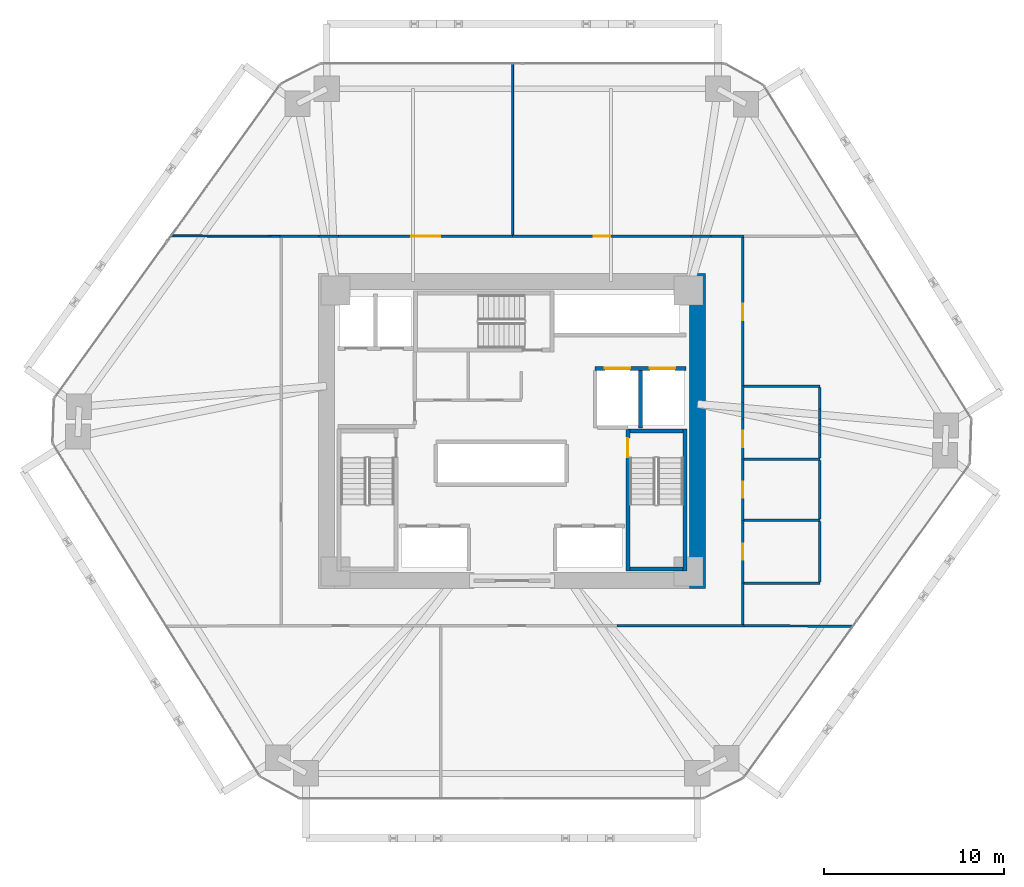
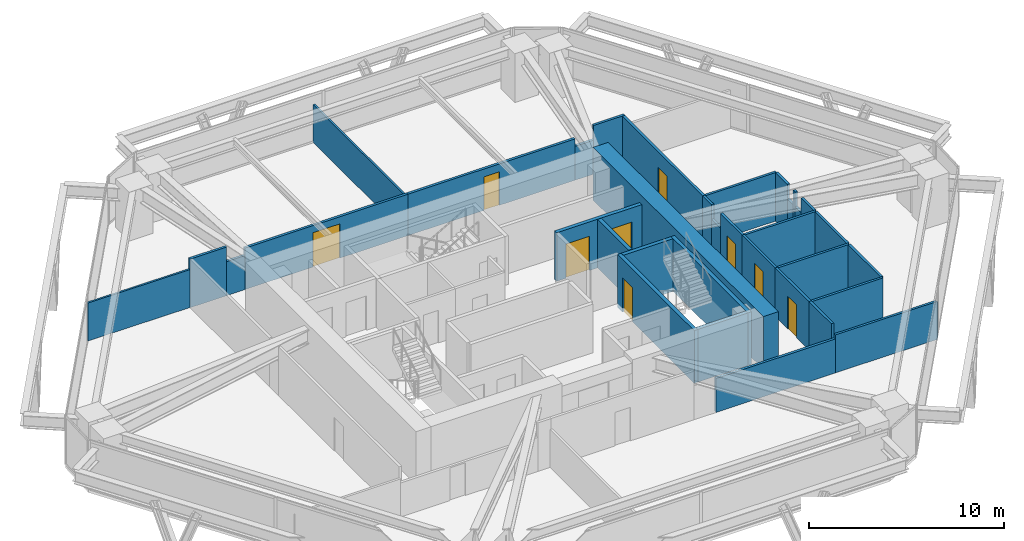
# One storey, part 12 of 14: 35 walls, 9 doors, 9 openings.
"""IFC4 building model written with IfcOpenShell, lengths in metres."""

import ifcopenshell
import ifcopenshell.guid

model = None  # the IFC model being written
_history = None  # IfcOwnerHistory: only IFC2X3 demands one
_inside = {}  # id of a spatial element -> (the spatial element, [elements in it])
_under = {}  # id of a project, library or spatial element -> (it, [spatial elements below it])
_declared = {}  # id of a project -> (the project, [libraries it declares])
_typed = {}  # id of a type object -> (the type object, [elements of that type])
_made_of = {}  # id of a material, layer set ... -> (it, [elements and type objects made of it])


def new_model(schema):
    """Start an empty IFC model of exactly this schema.

    Asked for "IFC4X3", IfcOpenShell would pick the latest addendum, in which some entities
    have other attributes; the version numbers below select the first issue.
    IFC2X3 requires an IfcOwnerHistory on every rooted entity: one is made here for all.
    """
    global model, _history
    if schema == "IFC4X3":
        model = ifcopenshell.file(schema_version=(4, 3, 0, 0))
    else:
        model = ifcopenshell.file(schema=schema)
    _inside.clear()
    _under.clear()
    _declared.clear()
    _typed.clear()
    _made_of.clear()
    _history = None
    if model.schema == "IFC2X3":
        org = make("IfcOrganization", Name="unknown")
        user = make(
            "IfcPersonAndOrganization",
            ThePerson=make("IfcPerson", FamilyName="unknown"),
            TheOrganization=org,
        )
        app = make(
            "IfcApplication",
            ApplicationDeveloper=org,
            Version="unknown",
            ApplicationFullName="unknown",
            ApplicationIdentifier="unknown",
        )
        _history = make(
            "IfcOwnerHistory",
            OwningUser=user,
            OwningApplication=app,
            ChangeAction="ADDED",
            CreationDate=0,
        )
    return model


def make(cls, **values):
    """One entity of the class cls with the attributes given. An attribute that is None is left unset."""
    return model.create_entity(
        cls, **{name: value for name, value in values.items() if value is not None}
    )


def rooted(cls, **values):
    """An entity with a GlobalId (a new one), such as an element, a storey or a relation."""
    return make(cls, GlobalId=ifcopenshell.guid.new(), OwnerHistory=_history, **values)


def si_unit(unit_type, name, prefix=None):
    """IfcSIUnit, for example si_unit("LENGTHUNIT", "METRE", prefix="MILLI")."""
    return make("IfcSIUnit", UnitType=unit_type, Prefix=prefix, Name=name)


def assignment(units):
    """IfcUnitAssignment: the units of a project."""
    return None if units is None else make("IfcUnitAssignment", Units=units)


def point(xyz):
    """IfcCartesianPoint."""
    return None if xyz is None else make("IfcCartesianPoint", Coordinates=xyz)


def direction(xyz):
    """IfcDirection."""
    return None if xyz is None else make("IfcDirection", DirectionRatios=xyz)


def frame(location, z_axis=None, x_axis=None):
    """IfcAxis2Placement3D, a coordinate frame: its origin and axes. An axis left out is left unset."""
    return make(
        "IfcAxis2Placement3D",
        Location=point(location),
        Axis=direction(z_axis),
        RefDirection=direction(x_axis),
    )


def frame_2d(location, x_axis=None):
    """IfcAxis2Placement2D, a coordinate frame in the plane: its origin and x axis."""
    return make(
        "IfcAxis2Placement2D", Location=point(location), RefDirection=direction(x_axis)
    )


def origin():
    """The frame at (0, 0, 0) with its axes left unset."""
    return frame((0.0, 0.0, 0.0))


def place(relative_to, where):
    """IfcLocalPlacement: puts the frame where relative to a parent placement (None: the world)."""
    return make(
        "IfcLocalPlacement", PlacementRelTo=relative_to, RelativePlacement=where
    )


def context(
    kind, dimensions, precision=None, world=None, true_north=None, identifier=None
):
    """IfcGeometricRepresentationContext, for example the 3D "Model" context."""
    return make(
        "IfcGeometricRepresentationContext",
        ContextIdentifier=identifier,
        ContextType=kind,
        CoordinateSpaceDimension=dimensions,
        Precision=precision,
        WorldCoordinateSystem=world,
        TrueNorth=true_north,
    )


def subcontext(parent, identifier, kind, view, scale=None):
    """IfcGeometricRepresentationSubContext, for example "Body" below "Model"."""
    return make(
        "IfcGeometricRepresentationSubContext",
        ContextIdentifier=identifier,
        ContextType=kind,
        ParentContext=parent,
        TargetScale=scale,
        TargetView=view,
    )


def project(units=None, contexts=None):
    """IfcProject with its units and contexts."""
    return rooted(
        "IfcProject",
        Name="project",
        RepresentationContexts=contexts,
        UnitsInContext=assignment(units),
    )


def spatial(cls, under=None, at=None, **own):
    """A site, building, storey or space (cls), placed at a placement, below another one or the project."""
    s = rooted(cls, ObjectPlacement=at, **own)
    if under is not None:
        _under.setdefault(under.id(), (under, []))[1].append(s)
    return s


def profile(cls, at=None, kind="AREA", **sizes):
    """A parametric profile (cls). Its sizes go by their IFC names, for example OverallWidth=200.0."""
    return make(cls, ProfileType=kind, Position=at, **sizes)


def rectangle(**sizes):
    """IfcRectangleProfileDef."""
    return profile("IfcRectangleProfileDef", **sizes)


def extrude(swept, where, along, depth):
    """IfcExtrudedAreaSolid: the profile swept, set in the frame where, extruded along a direction by depth."""
    return make(
        "IfcExtrudedAreaSolid",
        SweptArea=swept,
        Position=where,
        ExtrudedDirection=direction(along),
        Depth=depth,
    )


def shape(context_of_items, identifier, shape_type, items):
    """IfcShapeRepresentation: the items that make up one representation, for example the "Body"."""
    return make(
        "IfcShapeRepresentation",
        ContextOfItems=context_of_items,
        RepresentationIdentifier=identifier,
        RepresentationType=shape_type,
        Items=items,
    )


def source(mapping_origin, context_of_items, identifier, shape_type, items):
    """IfcRepresentationMap: a shape defined once, which mapped items show again and again."""
    return make(
        "IfcRepresentationMap",
        MappingOrigin=mapping_origin,
        MappedRepresentation=shape(context_of_items, identifier, shape_type, items),
    )


def transform(
    local_origin,
    x_axis=None,
    y_axis=None,
    z_axis=None,
    scale=None,
    scale2=None,
    scale3=None,
    uniform=True,
):
    """IfcCartesianTransformationOperator3D, or its non-uniform kind. x_axis, y_axis, z_axis: its Axis1, 2, 3."""
    if uniform:
        return make(
            "IfcCartesianTransformationOperator3D",
            Axis1=direction(x_axis),
            Axis2=direction(y_axis),
            LocalOrigin=point(local_origin),
            Scale=scale,
            Axis3=direction(z_axis),
        )
    return make(
        "IfcCartesianTransformationOperator3DnonUniform",
        Axis1=direction(x_axis),
        Axis2=direction(y_axis),
        LocalOrigin=point(local_origin),
        Scale=scale,
        Axis3=direction(z_axis),
        Scale2=scale2,
        Scale3=scale3,
    )


def mapped(mapping_source, mapping_target):
    """IfcMappedItem: shows the shape of a source again, moved by a transform."""
    return make(
        "IfcMappedItem", MappingSource=mapping_source, MappingTarget=mapping_target
    )


def material(Name=None, Category=None):
    """IfcMaterial."""
    return make("IfcMaterial", Name=Name, Category=Category)


def layer(
    of_material, thickness, ventilated=None, Name=None, Category=None, Priority=None
):
    """IfcMaterialLayer: one layer of a wall or slab, of a material (None: an air gap)."""
    return make(
        "IfcMaterialLayer",
        Material=of_material,
        LayerThickness=thickness,
        IsVentilated=ventilated,
        Name=Name,
        Category=Category,
        Priority=Priority,
    )


def layer_set(layers, Name=None):
    """IfcMaterialLayerSet."""
    return make("IfcMaterialLayerSet", MaterialLayers=layers, LayerSetName=Name)


def made_of(thing, what):
    """Note that an element or type object is made of a material, layer set ...; save() writes the relation."""
    if what is not None:
        _made_of.setdefault(what.id(), (what, []))[1].append(thing)
    return thing


def type_object(cls, material=None, **own):
    """A type object (cls), such as IfcWallType, which elements share."""
    return made_of(rooted(cls, **own), material)


def type_shapes(of_type, sources):
    """Give a type object the sources (RepresentationMaps) that its elements show as mapped items."""
    of_type.RepresentationMaps = sources


def element(
    cls,
    number,
    at=None,
    inside=None,
    cuts=None,
    type_object=None,
    material=None,
    context=None,
    identifier="Body",
    shape_type=None,
    held_by="IfcProductDefinitionShape",
    body=None,
    shapes=None,
    **own,
):
    """One element of the class cls, such as IfcWall. Its Tag is "e" and its number.

    at: its placement. inside: the storey or other place that contains it. cuts: it is an
    opening in that element (IfcRelVoidsElement). A single representation is given by context,
    identifier, shape_type and body (its items); several are given by shapes. held_by: the class
    of the entity that holds the representations. save() writes the other relations.
    """
    e = rooted(cls, Tag="e%d" % number, ObjectPlacement=at, **own)
    if body is not None:
        shapes = [shape(context, identifier, shape_type, body)]
    if shapes is not None:
        e.Representation = make(held_by, Representations=shapes)
    if inside is not None:
        _inside.setdefault(inside.id(), (inside, []))[1].append(e)
    if cuts is not None:
        rooted(
            "IfcRelVoidsElement", RelatingBuildingElement=cuts, RelatedOpeningElement=e
        )
    if type_object is not None:
        _typed.setdefault(type_object.id(), (type_object, []))[1].append(e)
    return made_of(e, material)


def fill(opening, filler):
    """IfcRelFillsElement: the door or window that sits in an opening."""
    return rooted(
        "IfcRelFillsElement",
        RelatingOpeningElement=opening,
        RelatedBuildingElement=filler,
    )


def aggregate(whole, parts):
    """IfcRelAggregates: a whole, such as a stair, and the parts it consists of."""
    return rooted("IfcRelAggregates", RelatingObject=whole, RelatedObjects=parts)


def save(model, path):
    """Write the relations noted so far, then the file.

    IfcRelAggregates (storeys below a building ...), IfcRelContainedInSpatialStructure (elements
    in a storey), IfcRelDefinesByType, IfcRelAssociatesMaterial and IfcRelDeclares: one each for
    every whole, place, type object, material and project.
    """
    for whole, parts in _under.values():
        aggregate(whole, parts)
    for where, things in _inside.values():
        rooted(
            "IfcRelContainedInSpatialStructure",
            RelatedElements=things,
            RelatingStructure=where,
        )
    for kind, things in _typed.values():
        rooted("IfcRelDefinesByType", RelatedObjects=things, RelatingType=kind)
    for what, things in _made_of.values():
        rooted("IfcRelAssociatesMaterial", RelatedObjects=things, RelatingMaterial=what)
    for by, libraries in _declared.values():
        rooted("IfcRelDeclares", RelatingContext=by, RelatedDefinitions=libraries)
    model.write(path)


model = new_model("IFC4")

# Units and contexts
model_context = context("Model", 3, precision=1e-05, world=origin(), true_north=direction((0.0, 1.0)))
body_context = subcontext(model_context, "Body", "Model", "MODEL_VIEW")
ifc_project = project(units=[si_unit("LENGTHUNIT", "METRE"), si_unit("AREAUNIT", "SQUARE_METRE"), si_unit("VOLUMEUNIT", "CUBIC_METRE"), si_unit("PLANEANGLEUNIT", "RADIAN"), si_unit("MASSUNIT", "GRAM", prefix="KILO")], contexts=[model_context])

# Site, building, storey
site_placement = place(None, origin())
site = spatial("IfcSite", under=ifc_project, at=site_placement, CompositionType="ELEMENT")
building_placement = place(site_placement, origin())
building = spatial("IfcBuilding", under=site, at=building_placement, Name="Durnholm Broadcast Tower", CompositionType="ELEMENT")
storey_placement = place(building_placement, frame((0.0, 0.0, 35.699951171875)))
storey = spatial("IfcBuildingStorey", under=building, at=storey_placement, Name="L07", CompositionType="ELEMENT", Elevation=35.699951171875)

# Walls
ifc_material_1 = material(Name="Concrete C70/85", Category="concrete")
ifc_layer_1 = layer(ifc_material_1, 0.89990234375)
ifc_layer_set_1 = layer_set([ifc_layer_1], Name="Concrete C70/85")
wall_type_1 = type_object("IfcWallType", Name="WALL-CW-900", PredefinedType="SHEAR", material=ifc_layer_set_1)
wall_1_placement = place(storey_placement, frame((10.300048828125, -8.75, 0.0), z_axis=(0.0, 0.0, 1.0), x_axis=(0.0, 1.0, 0.0)))
element("IfcWall", 1, at=wall_1_placement, inside=storey, type_object=wall_type_1, Name="L07 central core shear wall CW-EAST", PredefinedType="SHEAR", context=body_context, shape_type="SweptSolid", body=[
    extrude(rectangle(XDim=17.5, YDim=0.89990234375, at=frame_2d((8.75, 0.0))), origin(), (0.0, 0.0, 1.0), 3.300048828125),
])
ifc_material_2 = material(Name="Operable Acoustic Panel Partition", Category="aluminium")
ifc_layer_2 = layer(ifc_material_2, 0.110107421875)
ifc_layer_set_2 = layer_set([ifc_layer_2], Name="Operable Acoustic Panel Partition")
wall_type_2 = type_object("IfcWallType", Name="WALL-MOV-110", PredefinedType="MOVABLE", material=ifc_layer_set_2)
wall_2_placement = place(storey_placement, frame((0.0400390625, 20.39990234375, 0.0), z_axis=(0.0, 0.0, 1.0), x_axis=(0.0, -1.0, 0.0)))
element("IfcWall", 2, at=wall_2_placement, inside=storey, type_object=wall_type_2, Name="L07 room dividing partition 6.7", PredefinedType="MOVABLE", context=body_context, shape_type="SweptSolid", body=[
    extrude(rectangle(XDim=9.510986328125, YDim=0.110107421875, at=frame_2d((4.75537109375, 0.0))), origin(), (0.0, 0.0, 1.0), 2.380126953125),
])
wall_3_placement = place(storey_placement, frame((-12.889892578125, 10.810302734375, 0.0), z_axis=(0.0, 0.0, 1.0), x_axis=(-0.999992607823, 0.003845035728, 0.0)))
element("IfcWall", 3, at=wall_3_placement, inside=storey, type_object=wall_type_2, Name="L07 room dividing partition 6.10", PredefinedType="MOVABLE", context=body_context, shape_type="SweptSolid", body=[
    extrude(rectangle(XDim=6.031982421875, YDim=0.110107421875, at=frame_2d((3.01611328125, 0.0))), origin(), (0.0, 0.0, 1.0), 2.380126953125),
])
ifc_material_3 = material(Name="Gypsum Metal Stud Partition", Category="concrete")
ifc_layer_3 = layer(ifc_material_3, 0.135009765625)
ifc_layer_set_3 = layer_set([ifc_layer_3], Name="Gypsum Metal Stud Partition")
wall_type_3 = type_object("IfcWallType", Name="WALL-PART-135", PredefinedType="PARTITIONING", material=ifc_layer_set_3)
wall_4_placement = place(storey_placement, frame((12.889892578125, -10.810302734375, 0.0), z_axis=(0.0, 0.0, 1.0), x_axis=(0.999992607823, -0.003845035728, 0.0)))
element("IfcWall", 4, at=wall_4_placement, inside=storey, type_object=wall_type_3, Name="L07 room dividing partition 9.11", PredefinedType="PARTITIONING", context=body_context, shape_type="SweptSolid", body=[
    extrude(rectangle(XDim=6.031982421875, YDim=0.135009765625, at=frame_2d((3.01611328125, 0.0))), origin(), (0.0, 0.0, 1.0), 2.380126953125),
])

# Wall, opening, door
ifc_material_4 = material(Name="Acoustic Gypsum Stud Partition", Category="concrete")
ifc_layer_4 = layer(ifc_material_4, 0.14990234375)
ifc_layer_set_4 = layer_set([ifc_layer_4], Name="Acoustic Gypsum Stud Partition")
wall_type_4 = type_object("IfcWallType", Name="WALL-PART-150", PredefinedType="PARTITIONING", material=ifc_layer_set_4)
wall_5_placement = place(storey_placement, frame((0.0400390625, 10.81005859375, 0.0), z_axis=(0.0, 0.0, 1.0), x_axis=(-1.0, 0.0, 0.0)))
wall_5 = element("IfcWall", 5, at=wall_5_placement, inside=storey, type_object=wall_type_4, Name="L07 Broadcast Newsroom Hall corridor partition", PredefinedType="PARTITIONING", context=body_context, shape_type="SweptSolid", body=[
    extrude(rectangle(XDim=9.66748046875, YDim=0.14990234375, at=frame_2d((4.833740234375, 0.0))), origin(), (0.0, 0.0, 1.0), 2.59765625),
])
opening_1_placement = place(wall_5_placement, frame((4.03369140625, 0.0, 0.0)))
opening_1 = element("IfcOpeningElement", 6, at=opening_1_placement, cuts=wall_5, Name="Opening DST-160", PredefinedType="OPENING", context=body_context, shape_type="SweptSolid", body=[
    extrude(rectangle(XDim=1.60009765625, YDim=2.14990234375, at=frame_2d((0.800048828125, 1.074951171875))), frame((0.0, 0.0849609375, 0.0), z_axis=(0.0, -1.0, 0.0), x_axis=(1.0, 0.0, 0.0)), (0.0, 0.0, 1.0), 0.169921875),
])
ifc_material_5 = material(Name="Acoustic Broadcast Studio Sound-Lock Door", Category="steel")
ifc_layer_5 = layer(ifc_material_5, 0.050048828125)
ifc_layer_set_5 = layer_set([ifc_layer_5], Name="Acoustic Broadcast Studio Sound-Lock Door")
door_type_1 = type_object("IfcDoorType", Name="DOOR-STU-1600", OperationType="DOUBLE_DOOR_SINGLE_SWING", PredefinedType="DOOR", material=ifc_layer_set_5)
shared_shape_1 = source(origin(), body_context, "Body", "SweptSolid", [
    extrude(rectangle(XDim=1.60009765625, YDim=2.14990234375, at=frame_2d((0.800048828125, 1.074951171875))), frame((0.0, 0.02490234375, 0.0), z_axis=(0.0, -1.0, 0.0), x_axis=(1.0, 0.0, 0.0)), (0.0, 0.0, 1.0), 0.050048828125),
])
type_shapes(door_type_1, [shared_shape_1])
door_1_placement = place(opening_1_placement, origin())
door_1 = element("IfcDoor", 7, at=door_1_placement, inside=storey, type_object=door_type_1, Name="L07 Broadcast Newsroom Hall entrance door", OperationType="DOUBLE_DOOR_SINGLE_SWING", OverallHeight=2.14990234375, OverallWidth=1.60009765625, PredefinedType="DOOR", context=body_context, shape_type="MappedRepresentation", body=[
    mapped(shared_shape_1, transform((0.0, 0.0, 0.0), x_axis=(1.0, 0.0, 0.0), y_axis=(0.0, 1.0, 0.0), z_axis=(0.0, 0.0, 1.0), scale=1.0)),
])
fill(opening_1, door_1)

# Walls
wall_6_placement = place(storey_placement, frame((-10.719970703125, 10.81005859375, 0.0), z_axis=(0.0, 0.0, 1.0), x_axis=(-1.0, 0.0, 0.0)))
element("IfcWall", 8, at=wall_6_placement, inside=storey, type_object=wall_type_4, Name="L07 Broadcast Newsroom Hall corridor partition", PredefinedType="PARTITIONING", context=body_context, shape_type="SweptSolid", body=[
    extrude(rectangle(XDim=2.169921875, YDim=0.14990234375, at=frame_2d((1.0849609375, 0.0))), origin(), (0.0, 0.0, 1.0), 3.045166015625),
])
wall_7_placement = place(storey_placement, frame((-9.62744140625, 10.81005859375, 0.0), z_axis=(0.0, 0.0, 1.0), x_axis=(-1.0, 0.0, 0.0)))
element("IfcWall", 9, at=wall_7_placement, inside=storey, type_object=wall_type_4, Name="L07 Broadcast Newsroom Hall corridor partition", PredefinedType="PARTITIONING", context=body_context, shape_type="SweptSolid", body=[
    extrude(rectangle(XDim=1.092529296875, YDim=0.14990234375, at=frame_2d((0.54638671875, 0.0))), origin(), (0.0, 0.0, 1.0), 2.130126953125),
])
wall_8_placement = place(storey_placement, frame((12.889892578125, 10.81005859375, 0.0), z_axis=(0.0, 0.0, 1.0), x_axis=(-1.0, 0.0, 0.0)))
element("IfcWall", 10, at=wall_8_placement, inside=storey, type_object=wall_type_4, Name="L07 Live Assignment Lounge corridor partition", PredefinedType="PARTITIONING", context=body_context, shape_type="SweptSolid", body=[
    extrude(rectangle(XDim=1.847412109375, YDim=0.14990234375, at=frame_2d((0.923828125, 0.0))), origin(), (0.0, 0.0, 1.0), 3.045166015625),
])

# Wall, opening, door
wall_9_placement = place(storey_placement, frame((9.93310546875, 10.81005859375, 0.0), z_axis=(0.0, 0.0, 1.0), x_axis=(-1.0, 0.0, 0.0)))
wall_9 = element("IfcWall", 11, at=wall_9_placement, inside=storey, type_object=wall_type_4, Name="L07 Live Assignment Lounge corridor partition", PredefinedType="PARTITIONING", context=body_context, shape_type="SweptSolid", body=[
    extrude(rectangle(XDim=9.89306640625, YDim=0.14990234375, at=frame_2d((4.946533203125, 0.0))), origin(), (0.0, 0.0, 1.0), 2.59765625),
])
opening_2_placement = place(wall_9_placement, frame((4.486572265625, 0.0, 0.0)))
opening_2 = element("IfcOpeningElement", 12, at=opening_2_placement, cuts=wall_9, Name="Opening DR-92L", PredefinedType="OPENING", context=body_context, shape_type="SweptSolid", body=[
    extrude(rectangle(XDim=0.919921875, YDim=2.10009765625, at=frame_2d((0.4599609375, 1.050048828125))), frame((0.0, 0.0849609375, 0.0), z_axis=(0.0, -1.0, 0.0), x_axis=(1.0, 0.0, 0.0)), (0.0, 0.0, 1.0), 0.169921875),
])
ifc_material_6 = material(Name="Oak Veneer Office Door", Category="wood")
ifc_layer_6 = layer(ifc_material_6, 0.050048828125)
ifc_layer_set_6 = layer_set([ifc_layer_6], Name="Oak Veneer Office Door")
door_type_2 = type_object("IfcDoorType", Name="DOOR-RM-920L", OperationType="NOTDEFINED", PredefinedType="DOOR", material=ifc_layer_set_6)
shared_shape_2 = source(origin(), body_context, "Body", "SweptSolid", [
    extrude(rectangle(XDim=0.919921875, YDim=2.10009765625, at=frame_2d((0.4599609375, 1.050048828125))), frame((0.0, 0.02490234375, 0.0), z_axis=(0.0, -1.0, 0.0), x_axis=(1.0, 0.0, 0.0)), (0.0, 0.0, 1.0), 0.050048828125),
])
type_shapes(door_type_2, [shared_shape_2])
door_2_placement = place(opening_2_placement, origin())
door_2 = element("IfcDoor", 13, at=door_2_placement, inside=storey, type_object=door_type_2, Name="L07 Live Assignment Lounge entrance door", OperationType="SINGLE_SWING_LEFT", OverallHeight=2.10009765625, OverallWidth=0.919921875, PredefinedType="DOOR", context=body_context, shape_type="MappedRepresentation", body=[
    mapped(shared_shape_2, transform((0.0, 0.0, 0.0), x_axis=(1.0, 0.0, 0.0), y_axis=(0.0, 1.0, 0.0), z_axis=(0.0, 0.0, 1.0), scale=1.0)),
])
fill(opening_2, door_2)

# Walls
wall_10_placement = place(storey_placement, frame((11.04248046875, 10.81005859375, 0.0), z_axis=(0.0, 0.0, 1.0), x_axis=(-1.0, 0.0, 0.0)))
element("IfcWall", 14, at=wall_10_placement, inside=storey, type_object=wall_type_4, Name="L07 Live Assignment Lounge corridor partition", PredefinedType="PARTITIONING", context=body_context, shape_type="SweptSolid", body=[
    extrude(rectangle(XDim=1.109375, YDim=0.14990234375, at=frame_2d((0.5546875, 0.0))), origin(), (0.0, 0.0, 1.0), 2.130126953125),
])
wall_11_placement = place(storey_placement, frame((5.8173828125, -10.81005859375, 0.0), z_axis=(0.0, 0.0, 1.0), x_axis=(1.0, 0.0, 0.0)))
element("IfcWall", 15, at=wall_11_placement, inside=storey, type_object=wall_type_4, Name="L07 Executive Producer Office corridor partition", PredefinedType="PARTITIONING", context=body_context, shape_type="SweptSolid", body=[
    extrude(rectangle(XDim=7.072509765625, YDim=0.14990234375, at=frame_2d((3.5361328125, 0.0))), origin(), (0.0, 0.0, 1.0), 2.130126953125),
])

# Wall, opening, door
wall_12_placement = place(storey_placement, frame((12.81005859375, 2.489990234375, 0.0), z_axis=(0.0, 0.0, 1.0), x_axis=(0.0, 1.0, 0.0)))
wall_12 = element("IfcWall", 16, at=wall_12_placement, inside=storey, type_object=wall_type_4, Name="L07 Media Archive Store corridor partition", PredefinedType="PARTITIONING", context=body_context, shape_type="SweptSolid", body=[
    extrude(rectangle(XDim=8.240966796875, YDim=0.14990234375, at=frame_2d((4.12060546875, 0.0))), origin(), (0.0, 0.0, 1.0), 3.045166015625),
])
opening_3_placement = place(wall_12_placement, frame((3.67041015625, 0.0, 0.0)))
opening_3 = element("IfcOpeningElement", 17, at=opening_3_placement, cuts=wall_12, Name="Opening DC-60R", PredefinedType="OPENING", context=body_context, shape_type="SweptSolid", body=[
    extrude(rectangle(XDim=0.89990234375, YDim=2.050048828125, at=frame_2d((0.449951171875, 1.02490234375))), frame((0.0, 0.0849609375, 0.0), z_axis=(0.0, -1.0, 0.0), x_axis=(1.0, 0.0, 0.0)), (0.0, 0.0, 1.0), 0.169921875),
])
ifc_material_7 = material(Name="Fire-Rated Core Service Door", Category="steel")
ifc_layer_7 = layer(ifc_material_7, 0.050048828125)
ifc_layer_set_7 = layer_set([ifc_layer_7], Name="Fire-Rated Core Service Door")
door_type_3 = type_object("IfcDoorType", Name="DOOR-CORE-FD60-R", OperationType="NOTDEFINED", PredefinedType="DOOR", material=ifc_layer_set_7)
shared_shape_3 = source(origin(), body_context, "Body", "SweptSolid", [
    extrude(rectangle(XDim=0.89990234375, YDim=2.050048828125, at=frame_2d((0.449951171875, 1.02490234375))), frame((0.0, 0.02490234375, 0.0), z_axis=(0.0, -1.0, 0.0), x_axis=(1.0, 0.0, 0.0)), (0.0, 0.0, 1.0), 0.050048828125),
])
type_shapes(door_type_3, [shared_shape_3])
door_3_placement = place(opening_3_placement, origin())
door_3 = element("IfcDoor", 18, at=door_3_placement, inside=storey, type_object=door_type_3, Name="L07 Media Archive Store entrance door", OperationType="SINGLE_SWING_RIGHT", OverallHeight=2.050048828125, OverallWidth=0.89990234375, PredefinedType="DOOR", context=body_context, shape_type="MappedRepresentation", body=[
    mapped(shared_shape_3, transform((0.0, 0.0, 0.0), x_axis=(1.0, 0.0, 0.0), y_axis=(0.0, 1.0, 0.0), z_axis=(0.0, 0.0, 1.0), scale=1.0)),
])
fill(opening_3, door_3)

# Wall
wall_13_placement = place(storey_placement, frame((12.81005859375, -10.73095703125, 0.0), z_axis=(0.0, 0.0, 1.0), x_axis=(0.0, 1.0, 0.0)))
element("IfcWall", 19, at=wall_13_placement, inside=storey, type_object=wall_type_4, Name="L07 Media Archive Store corridor partition", PredefinedType="PARTITIONING", context=body_context, shape_type="SweptSolid", body=[
    extrude(rectangle(XDim=2.291015625, YDim=0.14990234375, at=frame_2d((1.1455078125, 0.0))), origin(), (0.0, 0.0, 1.0), 3.045166015625),
])

# Wall, openings, doors
ifc_material_8 = material(Name="Concrete Blockwork C30/37", Category="masonry")
ifc_layer_8 = layer(ifc_material_8, 0.219970703125)
ifc_layer_set_8 = layer_set([ifc_layer_8], Name="Concrete Blockwork C30/37")
wall_type_5 = type_object("IfcWallType", Name="WALL-SHAFT-220", PredefinedType="SOLIDWALL", material=ifc_layer_set_8)
wall_14_placement = place(storey_placement, frame((4.60009765625, 3.47998046875, 0.0), z_axis=(0.0, 0.0, 1.0), x_axis=(1.0, 0.0, 0.0)))
wall_14 = element("IfcWall", 20, at=wall_14_placement, inside=storey, type_object=wall_type_5, Name="L07 freight service lifts north front wall", PredefinedType="SOLIDWALL", context=body_context, shape_type="SweptSolid", body=[
    extrude(rectangle(XDim=5.0498046875, YDim=0.219970703125, at=frame_2d((2.52490234375, 0.0))), origin(), (0.0, 0.0, 1.0), 3.045166015625),
])
opening_4_placement = place(wall_14_placement, frame((0.550048828125, 0.0, 0.0)))
opening_4 = element("IfcOpeningElement", 21, at=opening_4_placement, cuts=wall_14, Name="Opening LD-SVL-2", PredefinedType="OPENING", context=body_context, shape_type="SweptSolid", body=[
    extrude(rectangle(XDim=1.39990234375, YDim=2.14990234375, at=frame_2d((0.699951171875, 1.074951171875))), frame((0.0, 0.1201171875, 0.0), z_axis=(0.0, -1.0, 0.0), x_axis=(1.0, 0.0, 0.0)), (0.0, 0.0, 1.0), 0.239990234375),
])
opening_5_placement = place(wall_14_placement, frame((3.050048828125, 0.0, 0.0)))
opening_5 = element("IfcOpeningElement", 22, at=opening_5_placement, cuts=wall_14, Name="Opening LD-SVL-1", PredefinedType="OPENING", context=body_context, shape_type="SweptSolid", body=[
    extrude(rectangle(XDim=1.39990234375, YDim=2.14990234375, at=frame_2d((0.699951171875, 1.074951171875))), frame((0.0, 0.1201171875, 0.0), z_axis=(0.0, -1.0, 0.0), x_axis=(1.0, 0.0, 0.0)), (0.0, 0.0, 1.0), 0.239990234375),
])
ifc_material_9 = material(Name="Freight Elevator Bi-Parting Sliding Landing Door", Category="steel")
ifc_layer_9 = layer(ifc_material_9, 0.050048828125)
ifc_layer_set_9 = layer_set([ifc_layer_9], Name="Freight Elevator Bi-Parting Sliding Landing Door")
door_type_4 = type_object("IfcDoorType", Name="DOOR-LIFT-SVL", OperationType="DOUBLE_DOOR_SLIDING", PredefinedType="DOOR", material=ifc_layer_set_9)
shared_shape_4 = source(origin(), body_context, "Body", "SweptSolid", [
    extrude(rectangle(XDim=1.39990234375, YDim=2.14990234375, at=frame_2d((0.699951171875, 1.074951171875))), frame((0.0, 0.02490234375, 0.0), z_axis=(0.0, -1.0, 0.0), x_axis=(1.0, 0.0, 0.0)), (0.0, 0.0, 1.0), 0.050048828125),
])
type_shapes(door_type_4, [shared_shape_4])
door_4_placement = place(opening_4_placement, origin())
door_4 = element("IfcDoor", 23, at=door_4_placement, inside=storey, type_object=door_type_4, Name="L07 freight service elevator SVL-2 sliding landing door", OperationType="DOUBLE_DOOR_SLIDING", OverallHeight=2.14990234375, OverallWidth=1.39990234375, PredefinedType="DOOR", context=body_context, shape_type="MappedRepresentation", body=[
    mapped(shared_shape_4, transform((0.0, 0.0, 0.0), x_axis=(1.0, 0.0, 0.0), y_axis=(0.0, 1.0, 0.0), z_axis=(0.0, 0.0, 1.0), scale=1.0)),
])
fill(opening_4, door_4)
door_5_placement = place(opening_5_placement, origin())
door_5 = element("IfcDoor", 24, at=door_5_placement, inside=storey, type_object=door_type_4, Name="L07 freight service elevator SVL-1 sliding landing door", OperationType="DOUBLE_DOOR_SLIDING", OverallHeight=2.14990234375, OverallWidth=1.39990234375, PredefinedType="DOOR", context=body_context, shape_type="MappedRepresentation", body=[
    mapped(shared_shape_4, transform((0.0, 0.0, 0.0), x_axis=(1.0, 0.0, 0.0), y_axis=(0.0, 1.0, 0.0), z_axis=(0.0, 0.0, 1.0), scale=1.0)),
])
fill(opening_5, door_5)

# Walls
wall_15_placement = place(storey_placement, frame((7.1201171875, 0.179931640625, 0.0), z_axis=(0.0, 0.0, 1.0), x_axis=(0.0, 1.0, 0.0)))
element("IfcWall", 25, at=wall_15_placement, inside=storey, type_object=wall_type_5, Name="L07 freight service lifts divider wall", PredefinedType="SOLIDWALL", context=body_context, shape_type="SweptSolid", body=[
    extrude(rectangle(XDim=3.18603515625, YDim=0.219970703125, at=frame_2d((1.593017578125, 0.0))), origin(), (0.0, 0.0, 1.0), 3.045166015625),
])
ifc_material_10 = material(Name="Concrete C50/60", Category="concrete")
ifc_layer_10 = layer(ifc_material_10, 0.219970703125)
ifc_layer_set_10 = layer_set([ifc_layer_10], Name="Concrete C50/60")
wall_type_6 = type_object("IfcWallType", Name="WALL-SW-220", PredefinedType="SHEAR", material=ifc_layer_set_10)
wall_16_placement = place(storey_placement, frame((9.610107421875, -7.77001953125, -0.239990234375), z_axis=(0.0, 0.0, 1.0), x_axis=(0.0, 1.0, 0.0)))
element("IfcWall", 26, at=wall_16_placement, inside=storey, type_object=wall_type_6, Name="L07 stair ST-2 structural shaft wall E", PredefinedType="SHEAR", context=body_context, shape_type="SweptSolid", body=[
    extrude(rectangle(XDim=7.89013671875, YDim=0.219970703125, at=frame_2d((3.945068359375, 0.0))), origin(), (0.0, 0.0, 1.0), 3.300048828125),
])

# Wall, opening, door
wall_17_placement = place(storey_placement, frame((6.429931640625, 0.1201171875, -0.239990234375), z_axis=(0.0, 0.0, 1.0), x_axis=(0.0, -1.0, 0.0)))
wall_17 = element("IfcWall", 27, at=wall_17_placement, inside=storey, type_object=wall_type_6, Name="L07 stair ST-2 structural shaft wall W", PredefinedType="SHEAR", context=body_context, shape_type="SweptSolid", body=[
    extrude(rectangle(XDim=7.89013671875, YDim=0.219970703125, at=frame_2d((3.945068359375, 0.0))), origin(), (0.0, 0.0, 1.0), 3.300048828125),
])
opening_6_placement = place(wall_17_placement, frame((0.52001953125, 0.0, 0.0)))
opening_6 = element("IfcOpeningElement", 28, at=opening_6_placement, cuts=wall_17, Name="Opening DS-90R", PredefinedType="OPENING", context=body_context, shape_type="SweptSolid", body=[
    extrude(rectangle(XDim=1.050048828125, YDim=2.14990234375, at=frame_2d((0.52490234375, 1.074951171875))), frame((0.0, 0.1201171875, 0.0), z_axis=(0.0, -1.0, 0.0), x_axis=(1.0, 0.0, 0.0)), (0.0, 0.0, 1.0), 0.239990234375),
])
ifc_material_11 = material(Name="Fire-Rated Steel Door", Category="steel")
ifc_layer_11 = layer(ifc_material_11, 0.050048828125)
ifc_layer_set_11 = layer_set([ifc_layer_11], Name="Fire-Rated Steel Door")
door_type_5 = type_object("IfcDoorType", Name="DOOR-ST-FD90-R", OperationType="NOTDEFINED", PredefinedType="DOOR", material=ifc_layer_set_11)
shared_shape_5 = source(origin(), body_context, "Body", "SweptSolid", [
    extrude(rectangle(XDim=1.050048828125, YDim=2.14990234375, at=frame_2d((0.52490234375, 1.074951171875))), frame((0.0, 0.02490234375, 0.0), z_axis=(0.0, -1.0, 0.0), x_axis=(1.0, 0.0, 0.0)), (0.0, 0.0, 1.0), 0.050048828125),
])
type_shapes(door_type_5, [shared_shape_5])
door_6_placement = place(opening_6_placement, origin())
door_6 = element("IfcDoor", 29, at=door_6_placement, inside=storey, type_object=door_type_5, Name="L07 exit stair ST-2 fire door", OperationType="SINGLE_SWING_RIGHT", OverallHeight=2.14990234375, OverallWidth=1.050048828125, PredefinedType="DOOR", context=body_context, shape_type="MappedRepresentation", body=[
    mapped(shared_shape_5, transform((0.0, 0.0, 0.0), x_axis=(1.0, 0.0, 0.0), y_axis=(0.0, 1.0, 0.0), z_axis=(0.0, 0.0, 1.0), scale=1.0)),
])
fill(opening_6, door_6)

# Walls
for number, where, z_axis, x_axis, name in (
    (30, (6.5400390625, -7.659912109375, -0.239990234375), (0.0, 0.0, 1.0), (1.0, 0.0, 0.0), "L07 stair ST-2 structural shaft wall S"),
    (31, (9.5, 0.010009765625, -0.239990234375), (0.0, 0.0, 1.0), (-1.0, 0.0, 0.0), "L07 stair ST-2 structural shaft wall N"),
):
    element("IfcWall", number, at=place(storey_placement, frame(where, z_axis=z_axis, x_axis=x_axis)), inside=storey, type_object=wall_type_6, Name=name, PredefinedType="SHEAR", context=body_context, shape_type="SweptSolid", body=[
        extrude(rectangle(XDim=2.9599609375, YDim=0.219970703125, at=frame_2d((1.47998046875, 0.0))), origin(), (0.0, 0.0, 1.0), 3.300048828125),
    ])

# Wall, opening, door
ifc_material_12 = material(Name="Moisture-Resistant Tile Partition", Category="concrete")
ifc_layer_12 = layer(ifc_material_12, 0.139892578125)
ifc_layer_set_12 = layer_set([ifc_layer_12], Name="Moisture-Resistant Tile Partition")
wall_type_7 = type_object("IfcWallType", Name="WALL-WC-140", PredefinedType="PARTITIONING", material=ifc_layer_set_12)
wall_18_placement = place(storey_placement, frame((12.81005859375, -8.43994140625, 0.0), z_axis=(0.0, 0.0, 1.0), x_axis=(0.0, 1.0, 0.0)))
wall_18 = element("IfcWall", 32, at=wall_18_placement, inside=storey, type_object=wall_type_7, Name="L07 Men's Restroom corridor partition", PredefinedType="PARTITIONING", context=body_context, shape_type="SweptSolid", body=[
    extrude(rectangle(XDim=3.47998046875, YDim=0.139892578125, at=frame_2d((1.739990234375, 0.0))), origin(), (0.0, 0.0, 1.0), 3.045166015625),
])
opening_7_placement = place(wall_18_placement, frame((1.2900390625, 0.0, 0.0)))
opening_7 = element("IfcOpeningElement", 33, at=opening_7_placement, cuts=wall_18, Name="Opening DW-90L", PredefinedType="OPENING", context=body_context, shape_type="SweptSolid", body=[
    extrude(rectangle(XDim=0.89990234375, YDim=2.050048828125, at=frame_2d((0.449951171875, 1.02490234375))), frame((0.0, 0.080078125, 0.0), z_axis=(0.0, -1.0, 0.0), x_axis=(1.0, 0.0, 0.0)), (0.0, 0.0, 1.0), 0.159912109375),
])
ifc_material_13 = material(Name="Laminate Restroom Door", Category="steel")
ifc_layer_13 = layer(ifc_material_13, 0.050048828125)
ifc_layer_set_13 = layer_set([ifc_layer_13], Name="Laminate Restroom Door")
door_type_6 = type_object("IfcDoorType", Name="DOOR-WC-900L", OperationType="NOTDEFINED", PredefinedType="DOOR", material=ifc_layer_set_13)
shared_shape_6 = source(origin(), body_context, "Body", "SweptSolid", [
    extrude(rectangle(XDim=0.89990234375, YDim=2.050048828125, at=frame_2d((0.449951171875, 1.02490234375))), frame((0.0, 0.02490234375, 0.0), z_axis=(0.0, -1.0, 0.0), x_axis=(1.0, 0.0, 0.0)), (0.0, 0.0, 1.0), 0.050048828125),
])
type_shapes(door_type_6, [shared_shape_6])
door_7_placement = place(opening_7_placement, origin())
door_7 = element("IfcDoor", 34, at=door_7_placement, inside=storey, type_object=door_type_6, Name="L07 Men's Restroom entrance door", OperationType="SINGLE_SWING_LEFT", OverallHeight=2.050048828125, OverallWidth=0.89990234375, PredefinedType="DOOR", context=body_context, shape_type="MappedRepresentation", body=[
    mapped(shared_shape_6, transform((0.0, 0.0, 0.0), x_axis=(1.0, 0.0, 0.0), y_axis=(0.0, 1.0, 0.0), z_axis=(0.0, 0.0, 1.0), scale=1.0)),
])
fill(opening_7, door_7)

wall_19_placement = place(storey_placement, frame((12.81005859375, -4.9599609375, 0.0), z_axis=(0.0, 0.0, 1.0), x_axis=(0.0, 1.0, 0.0)))
wall_19 = element("IfcWall", 35, at=wall_19_placement, inside=storey, type_object=wall_type_7, Name="L07 Women's Restroom corridor partition", PredefinedType="PARTITIONING", context=body_context, shape_type="SweptSolid", body=[
    extrude(rectangle(XDim=3.39990234375, YDim=0.139892578125, at=frame_2d((1.699951171875, 0.0))), origin(), (0.0, 0.0, 1.0), 3.045166015625),
])
opening_8_placement = place(wall_19_placement, frame((1.25, 0.0, 0.0)))
opening_8 = element("IfcOpeningElement", 36, at=opening_8_placement, cuts=wall_19, Name="Opening DW-90R", PredefinedType="OPENING", context=body_context, shape_type="SweptSolid", body=[
    extrude(rectangle(XDim=0.89990234375, YDim=2.050048828125, at=frame_2d((0.449951171875, 1.02490234375))), frame((0.0, 0.080078125, 0.0), z_axis=(0.0, -1.0, 0.0), x_axis=(1.0, 0.0, 0.0)), (0.0, 0.0, 1.0), 0.159912109375),
])
ifc_layer_14 = layer(ifc_material_13, 0.050048828125)
ifc_layer_set_14 = layer_set([ifc_layer_14], Name="Laminate Restroom Door")
door_type_7 = type_object("IfcDoorType", Name="DOOR-WC-900R", OperationType="NOTDEFINED", PredefinedType="DOOR", material=ifc_layer_set_14)
shared_shape_7 = source(origin(), body_context, "Body", "SweptSolid", [
    extrude(rectangle(XDim=0.89990234375, YDim=2.050048828125, at=frame_2d((0.449951171875, 1.02490234375))), frame((0.0, 0.02490234375, 0.0), z_axis=(0.0, -1.0, 0.0), x_axis=(1.0, 0.0, 0.0)), (0.0, 0.0, 1.0), 0.050048828125),
])
type_shapes(door_type_7, [shared_shape_7])
door_8_placement = place(opening_8_placement, origin())
door_8 = element("IfcDoor", 37, at=door_8_placement, inside=storey, type_object=door_type_7, Name="L07 Women's Restroom entrance door", OperationType="SINGLE_SWING_RIGHT", OverallHeight=2.050048828125, OverallWidth=0.89990234375, PredefinedType="DOOR", context=body_context, shape_type="MappedRepresentation", body=[
    mapped(shared_shape_7, transform((0.0, 0.0, 0.0), x_axis=(1.0, 0.0, 0.0), y_axis=(0.0, 1.0, 0.0), z_axis=(0.0, 0.0, 1.0), scale=1.0)),
])
fill(opening_8, door_8)

wall_20_placement = place(storey_placement, frame((12.81005859375, -1.56005859375, 0.0), z_axis=(0.0, 0.0, 1.0), x_axis=(0.0, 1.0, 0.0)))
wall_20 = element("IfcWall", 38, at=wall_20_placement, inside=storey, type_object=wall_type_7, Name="L07 Accessible Restroom corridor partition", PredefinedType="PARTITIONING", context=body_context, shape_type="SweptSolid", body=[
    extrude(rectangle(XDim=2.231201171875, YDim=0.139892578125, at=frame_2d((1.11572265625, 0.0))), origin(), (0.0, 0.0, 1.0), 3.045166015625),
])
opening_9_placement = place(wall_20_placement, frame((0.66552734375, 0.0, 0.0)))
opening_9 = element("IfcOpeningElement", 39, at=opening_9_placement, cuts=wall_20, Name="Opening DW-90L", PredefinedType="OPENING", context=body_context, shape_type="SweptSolid", body=[
    extrude(rectangle(XDim=0.89990234375, YDim=2.050048828125, at=frame_2d((0.449951171875, 1.02490234375))), frame((0.0, 0.080078125, 0.0), z_axis=(0.0, -1.0, 0.0), x_axis=(1.0, 0.0, 0.0)), (0.0, 0.0, 1.0), 0.159912109375),
])
door_9_placement = place(opening_9_placement, origin())
door_9 = element("IfcDoor", 40, at=door_9_placement, inside=storey, type_object=door_type_6, Name="L07 Accessible Restroom entrance door", OperationType="SINGLE_SWING_LEFT", OverallHeight=2.050048828125, OverallWidth=0.89990234375, PredefinedType="DOOR", context=body_context, shape_type="MappedRepresentation", body=[
    mapped(shared_shape_6, transform((0.0, 0.0, 0.0), x_axis=(1.0, 0.0, 0.0), y_axis=(0.0, 1.0, 0.0), z_axis=(0.0, 0.0, 1.0), scale=1.0)),
])
fill(opening_9, door_9)

# Walls
wall_21_placement = place(storey_placement, frame((12.81005859375, 1.584716796875, 0.0), z_axis=(0.0, 0.0, 1.0), x_axis=(0.0, 1.0, 0.0)))
element("IfcWall", 41, at=wall_21_placement, inside=storey, type_object=wall_type_7, Name="L07 Accessible Restroom corridor partition", PredefinedType="PARTITIONING", context=body_context, shape_type="SweptSolid", body=[
    extrude(rectangle(XDim=0.9052734375, YDim=0.139892578125, at=frame_2d((0.45263671875, 0.0))), origin(), (0.0, 0.0, 1.0), 3.045166015625),
])
wall_22_placement = place(storey_placement, frame((12.81005859375, 0.671142578125, 0.0), z_axis=(0.0, 0.0, 1.0), x_axis=(0.0, 1.0, 0.0)))
element("IfcWall", 42, at=wall_22_placement, inside=storey, type_object=wall_type_7, Name="L07 Accessible Restroom corridor partition", PredefinedType="PARTITIONING", context=body_context, shape_type="SweptSolid", body=[
    extrude(rectangle(XDim=0.91357421875, YDim=0.139892578125, at=frame_2d((0.456787109375, 0.0))), origin(), (0.0, 0.0, 1.0), 2.130126953125),
])
wall_23_placement = place(storey_placement, frame((12.884033203125, -4.9599609375, 0.0), z_axis=(0.0, 0.0, 1.0), x_axis=(1.0, 0.0, 0.0)))
element("IfcWall", 43, at=wall_23_placement, inside=storey, type_object=wall_type_7, Name="L07 room dividing partition 3.4", PredefinedType="PARTITIONING", context=body_context, shape_type="SweptSolid", body=[
    extrude(rectangle(XDim=4.2060546875, YDim=0.139892578125, at=frame_2d((2.10302734375, 0.0))), origin(), (0.0, 0.0, 1.0), 3.045166015625),
])
wall_24_placement = place(storey_placement, frame((17.090087890625, -8.43994140625, 0.0), z_axis=(0.0, 0.0, 1.0), x_axis=(-1.0, 0.0, 0.0)))
element("IfcWall", 44, at=wall_24_placement, inside=storey, type_object=wall_type_7, Name="L07 room dividing partition 3.11", PredefinedType="PARTITIONING", context=body_context, shape_type="SweptSolid", body=[
    extrude(rectangle(XDim=4.201171875, YDim=0.139892578125, at=frame_2d((2.1005859375, 0.0))), origin(), (0.0, 0.0, 1.0), 3.045166015625),
])
wall_25_placement = place(storey_placement, frame((17.090087890625, -5.033935546875, 0.0), z_axis=(0.0, 0.0, 1.0), x_axis=(0.0, -1.0, 0.0)))
element("IfcWall", 45, at=wall_25_placement, inside=storey, type_object=wall_type_7, Name="L07 room dividing partition 3.11", PredefinedType="PARTITIONING", context=body_context, shape_type="SweptSolid", body=[
    extrude(rectangle(XDim=3.33203125, YDim=0.139892578125, at=frame_2d((1.666015625, 0.0))), origin(), (0.0, 0.0, 1.0), 3.045166015625),
])
wall_26_placement = place(storey_placement, frame((12.884033203125, -1.56005859375, 0.0), z_axis=(0.0, 0.0, 1.0), x_axis=(1.0, 0.0, 0.0)))
element("IfcWall", 46, at=wall_26_placement, inside=storey, type_object=wall_type_7, Name="L07 room dividing partition 4.5", PredefinedType="PARTITIONING", context=body_context, shape_type="SweptSolid", body=[
    extrude(rectangle(XDim=4.2060546875, YDim=0.139892578125, at=frame_2d((2.10302734375, 0.0))), origin(), (0.0, 0.0, 1.0), 3.045166015625),
])
wall_27_placement = place(storey_placement, frame((17.090087890625, -1.634033203125, 0.0), z_axis=(0.0, 0.0, 1.0), x_axis=(0.0, -1.0, 0.0)))
element("IfcWall", 47, at=wall_27_placement, inside=storey, type_object=wall_type_7, Name="L07 room dividing partition 4.11", PredefinedType="PARTITIONING", context=body_context, shape_type="SweptSolid", body=[
    extrude(rectangle(XDim=3.251953125, YDim=0.139892578125, at=frame_2d((1.6259765625, 0.0))), origin(), (0.0, 0.0, 1.0), 3.045166015625),
])
wall_28_placement = place(storey_placement, frame((12.888916015625, 2.489990234375, 0.0), z_axis=(0.0, 0.0, 1.0), x_axis=(1.0, 0.0, 0.0)))
element("IfcWall", 48, at=wall_28_placement, inside=storey, type_object=wall_type_7, Name="L07 room dividing partition 5.11", PredefinedType="PARTITIONING", context=body_context, shape_type="SweptSolid", body=[
    extrude(rectangle(XDim=4.201171875, YDim=0.139892578125, at=frame_2d((2.1005859375, 0.0))), origin(), (0.0, 0.0, 1.0), 3.045166015625),
])
wall_29_placement = place(storey_placement, frame((17.090087890625, 2.416015625, 0.0), z_axis=(0.0, 0.0, 1.0), x_axis=(0.0, -1.0, 0.0)))
element("IfcWall", 49, at=wall_29_placement, inside=storey, type_object=wall_type_7, Name="L07 room dividing partition 5.11", PredefinedType="PARTITIONING", context=body_context, shape_type="SweptSolid", body=[
    extrude(rectangle(XDim=1.203857421875, YDim=0.139892578125, at=frame_2d((0.60205078125, 0.0))), origin(), (0.0, 0.0, 1.0), 3.045166015625),
])
wall_30_placement = place(storey_placement, frame((17.090087890625, 0.60595703125, 0.0), z_axis=(0.0, 0.0, 1.0), x_axis=(0.0, -1.0, 0.0)))
element("IfcWall", 50, at=wall_30_placement, inside=storey, type_object=wall_type_7, Name="L07 room dividing partition 5.11", PredefinedType="PARTITIONING", context=body_context, shape_type="SweptSolid", body=[
    extrude(rectangle(XDim=0.205078125, YDim=0.139892578125, at=frame_2d((0.1025390625, 0.0))), origin(), (0.0, 0.0, 1.0), 3.045166015625),
])
wall_31_placement = place(storey_placement, frame((17.090087890625, -0.216064453125, 0.0), z_axis=(0.0, 0.0, 1.0), x_axis=(0.0, -1.0, 0.0)))
element("IfcWall", 51, at=wall_31_placement, inside=storey, type_object=wall_type_7, Name="L07 room dividing partition 5.11", PredefinedType="PARTITIONING", context=body_context, shape_type="SweptSolid", body=[
    extrude(rectangle(XDim=1.27001953125, YDim=0.139892578125, at=frame_2d((0.635009765625, 0.0))), origin(), (0.0, 0.0, 1.0), 3.045166015625),
])
wall_32_placement = place(storey_placement, frame((17.090087890625, 1.212158203125, 0.0), z_axis=(0.0, 0.0, 1.0), x_axis=(0.0, -1.0, 0.0)))
element("IfcWall", 52, at=wall_32_placement, inside=storey, type_object=wall_type_7, Name="L07 room dividing partition 5.11", PredefinedType="PARTITIONING", context=body_context, shape_type="SweptSolid", body=[
    extrude(rectangle(XDim=0.606201171875, YDim=0.139892578125, at=frame_2d((0.30322265625, 0.0))), origin(), (0.0, 0.0, 1.0), 2.130126953125),
])
wall_33_placement = place(storey_placement, frame((17.090087890625, 0.40087890625, 0.0), z_axis=(0.0, 0.0, 1.0), x_axis=(0.0, -1.0, 0.0)))
element("IfcWall", 53, at=wall_33_placement, inside=storey, type_object=wall_type_7, Name="L07 room dividing partition 5.11", PredefinedType="PARTITIONING", context=body_context, shape_type="SweptSolid", body=[
    extrude(rectangle(XDim=0.616943359375, YDim=0.139892578125, at=frame_2d((0.30859375, 0.0))), origin(), (0.0, 0.0, 1.0), 2.130126953125),
])

save(model, "model.ifc")
